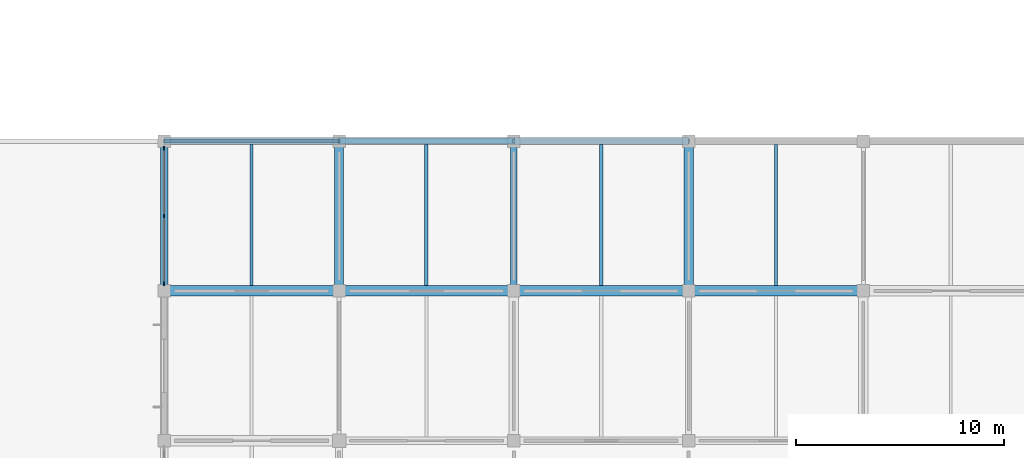
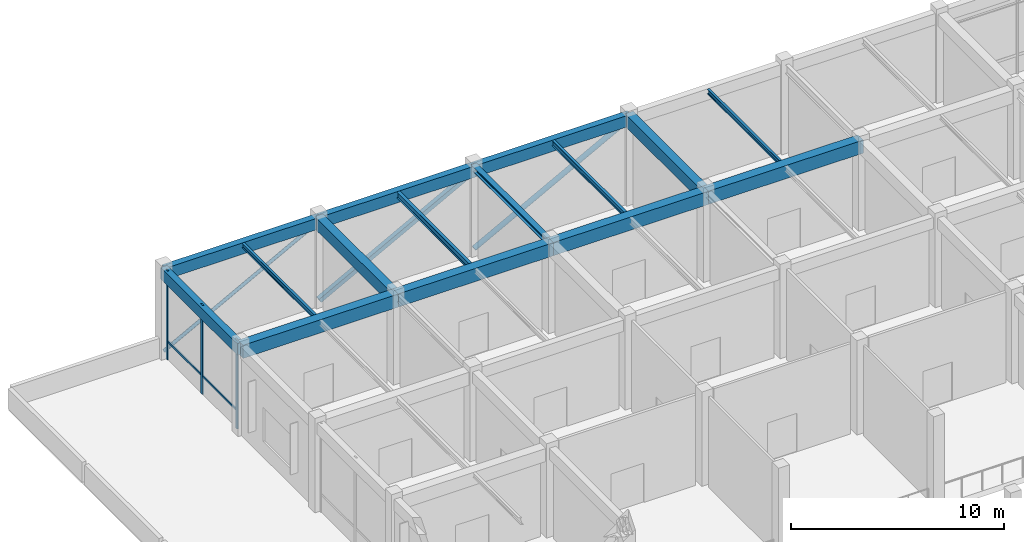
# One storey, part 10 of 38: 15 beams, 8 members, 1 element without a shape of its own.
"""IFC4 building model written with IfcOpenShell, lengths in metres."""

from ifc_helpers import new_model, si_unit, derived_unit, direction, frame, origin, origin_2d, place, context, subcontext, project, spatial, rectangle, hollow_rectangle, hollow_circle, i_section, extrude, material, material_profile, profile_set, type_object, element, aggregate, save


model = new_model("IFC4")

# Units and contexts
model_context = context("Model", 3, precision=1e-05, world=origin(), true_north=direction((0.0, 1.0)))
body_context = subcontext(model_context, "Body", "Model", "MODEL_VIEW")
ifc_project = project(units=[si_unit("LENGTHUNIT", "METRE"), si_unit("AREAUNIT", "SQUARE_METRE"), si_unit("VOLUMEUNIT", "CUBIC_METRE"), si_unit("PLANEANGLEUNIT", "RADIAN"), si_unit("MASSUNIT", "GRAM", prefix="KILO"), derived_unit("THERMALTRANSMITTANCEUNIT", [(si_unit("MASSUNIT", "GRAM", prefix="KILO"), 1), (si_unit("TIMEUNIT", "SECOND"), -3), (si_unit("THERMODYNAMICTEMPERATUREUNIT", "KELVIN"), -1)])], contexts=[model_context])

# Site, building, storey
site_placement = place(None, origin())
site = spatial("IfcSite", under=ifc_project, at=site_placement, CompositionType="ELEMENT")
building_placement = place(site_placement, origin())
building = spatial("IfcBuilding", under=site, at=building_placement, Name="Veldstrom Oceanarium and Marine Research Institute", CompositionType="ELEMENT")
storey_placement = place(building_placement, frame((0.0, 0.0, 11.39990234375)))
storey = spatial("IfcBuildingStorey", under=building, at=storey_placement, Name="L02", CompositionType="ELEMENT", Elevation=11.39990234375)

# Curtain wall, members
ifc_material_1 = material(Name="Anodised Aluminium Framing", Category="aluminium")
curtain_wall_type = type_object("IfcCurtainWallType", Name="ARC-CW-CW06", PredefinedType="USERDEFINED", material=ifc_material_1)
curtain_wall_placement = place(storey_placement, origin())
curtain_wall = element("IfcCurtainWall", 1, at=curtain_wall_placement, inside=storey, type_object=curtain_wall_type, Name="Curtain Wall CW06 CW-L02-022", ObjectType="Curtain wall", PredefinedType="USERDEFINED")
ifc_material_2 = material(Name="Anodised Aluminium Framing", Category="aluminium")
ifc_material_profile_1 = material_profile(ifc_material_2, rectangle(XDim=0.074951171875, YDim=0.179931640625, at=origin_2d()), Name="ALU-MUL-75x180")
ifc_profile_set_1 = profile_set([ifc_material_profile_1], Name="Anodised Aluminium Framing")
member_type_1 = type_object("IfcMemberType", Name="ARC-MUL-ML1", PredefinedType="MULLION", material=ifc_profile_set_1)
member_1_placement = place(storey_placement, frame((8.39990234375, 65.139892578125, 0.0), z_axis=(0.0, 0.0, 1.0), x_axis=(1.0, 0.0, 0.0)))
member_1 = element("IfcMember", 2, at=member_1_placement, type_object=member_type_1, Name="Curtain Wall Mullion CW-L02-022-MUL-1", PredefinedType="MULLION", context=body_context, shape_type="SweptSolid", body=[
    extrude(rectangle(XDim=0.074951171875, YDim=0.179931640625, at=origin_2d()), origin(), (0.0, 0.0, 1.0), 5.10009765625),
])
member_2_placement = place(storey_placement, frame((8.39990234375, 68.39990234375, 0.0), z_axis=(0.0, 0.0, 1.0), x_axis=(1.0, 0.0, 0.0)))
member_2 = element("IfcMember", 3, at=member_2_placement, type_object=member_type_1, Name="Curtain Wall Mullion CW-L02-022-MUL-2", PredefinedType="MULLION", context=body_context, shape_type="SweptSolid", body=[
    extrude(rectangle(XDim=0.074951171875, YDim=0.179931640625, at=origin_2d()), origin(), (0.0, 0.0, 1.0), 5.10009765625),
])
member_3_placement = place(storey_placement, frame((8.39990234375, 71.659912109375, 0.0), z_axis=(0.0, 0.0, 1.0), x_axis=(1.0, 0.0, 0.0)))
member_3 = element("IfcMember", 4, at=member_3_placement, type_object=member_type_1, Name="Curtain Wall Mullion CW-L02-022-MUL-3", PredefinedType="MULLION", context=body_context, shape_type="SweptSolid", body=[
    extrude(rectangle(XDim=0.074951171875, YDim=0.179931640625, at=origin_2d()), origin(), (0.0, 0.0, 1.0), 5.10009765625),
])
ifc_material_3 = material(Name="Anodised Aluminium Framing", Category="aluminium")
ifc_material_profile_2 = material_profile(ifc_material_3, rectangle(XDim=0.06494140625, YDim=0.1201171875, at=origin_2d()), Name="ALU-TRN-65x120")
ifc_profile_set_2 = profile_set([ifc_material_profile_2], Name="Anodised Aluminium Framing")
member_type_2 = type_object("IfcMemberType", Name="ARC-TRN-TR2", PredefinedType="USERDEFINED", material=ifc_profile_set_2)
member_4_placement = place(storey_placement, frame((8.39990234375, 65.179931640625, 1.050048828125), z_axis=(0.0, 1.0, 0.0), x_axis=(-1.0, 0.0, 0.0)))
member_4 = element("IfcMember", 5, at=member_4_placement, type_object=member_type_2, Name="Curtain Wall Transom CW-L02-022-TRN-1", ObjectType="Transom", PredefinedType="USERDEFINED", context=body_context, shape_type="SweptSolid", body=[
    extrude(rectangle(XDim=0.06494140625, YDim=0.1201171875, at=origin_2d()), origin(), (0.0, 0.0, 1.0), 3.18017578125),
])
member_5_placement = place(storey_placement, frame((8.39990234375, 68.43994140625, 1.050048828125), z_axis=(0.0, 1.0, 0.0), x_axis=(-1.0, 0.0, 0.0)))
member_5 = element("IfcMember", 6, at=member_5_placement, type_object=member_type_2, Name="Curtain Wall Transom CW-L02-022-TRN-2", ObjectType="Transom", PredefinedType="USERDEFINED", context=body_context, shape_type="SweptSolid", body=[
    extrude(rectangle(XDim=0.06494140625, YDim=0.1201171875, at=origin_2d()), origin(), (0.0, 0.0, 1.0), 3.18017578125),
])
aggregate(curtain_wall, [member_1, member_2, member_3, member_4, member_5])

# Beams
ifc_material_4 = material(Name="Concrete C40/50", Category="concrete")
ifc_material_profile_3 = material_profile(ifc_material_4, rectangle(XDim=0.5, YDim=0.75, at=origin_2d()), Name="RC-BM-500x750")
ifc_profile_set_3 = profile_set([ifc_material_profile_3], Name="Concrete C40/50")
beam_type_1 = type_object("IfcBeamType", Name="STR-BM-B03", PredefinedType="BEAM", material=ifc_profile_set_3)
beam_1_placement = place(storey_placement, frame((8.39990234375, 64.800048828125, 4.72021484375), z_axis=(1.0, 0.0, 0.0), x_axis=(0.0, 1.0, 0.0)))
element("IfcBeam", 7, at=beam_1_placement, inside=storey, type_object=beam_type_1, Name="Primary Beam B03 L02-1499", PredefinedType="BEAM", context=body_context, shape_type="SweptSolid", body=[
    extrude(rectangle(XDim=0.5, YDim=0.75, at=origin_2d()), origin(), (0.0, 0.0, 1.0), 8.400146484375),
])
beam_2_placement = place(storey_placement, frame((16.800048828125, 64.800048828125, 4.72021484375), z_axis=(1.0, 0.0, 0.0), x_axis=(0.0, 1.0, 0.0)))
element("IfcBeam", 8, at=beam_2_placement, inside=storey, type_object=beam_type_1, Name="Primary Beam B03 L02-1505", PredefinedType="BEAM", context=body_context, shape_type="SweptSolid", body=[
    extrude(rectangle(XDim=0.5, YDim=0.75, at=origin_2d()), origin(), (0.0, 0.0, 1.0), 8.39990234375),
])
beam_3_placement = place(storey_placement, frame((25.199951171875, 64.800048828125, 4.72021484375), z_axis=(1.0, 0.0, 0.0), x_axis=(0.0, 1.0, 0.0)))
element("IfcBeam", 9, at=beam_3_placement, inside=storey, type_object=beam_type_1, Name="Primary Beam B03 L02-1511", PredefinedType="BEAM", context=body_context, shape_type="SweptSolid", body=[
    extrude(rectangle(XDim=0.5, YDim=0.75, at=origin_2d()), origin(), (0.0, 0.0, 1.0), 8.400146484375),
])
beam_4_placement = place(storey_placement, frame((33.60009765625, 64.800048828125, 4.72021484375), z_axis=(1.0, 0.0, 0.0), x_axis=(0.0, 1.0, 0.0)))
element("IfcBeam", 10, at=beam_4_placement, inside=storey, type_object=beam_type_1, Name="Primary Beam B03 L02-1517", PredefinedType="BEAM", context=body_context, shape_type="SweptSolid", body=[
    extrude(rectangle(XDim=0.5, YDim=0.75, at=origin_2d()), origin(), (0.0, 0.0, 1.0), 8.39990234375),
])
ifc_material_5 = material(Name="Concrete C40/50", Category="concrete")
ifc_material_profile_4 = material_profile(ifc_material_5, rectangle(XDim=0.449951171875, YDim=0.699951171875, at=origin_2d()), Name="RC-BM-450x700")
ifc_profile_set_4 = profile_set([ifc_material_profile_4], Name="Concrete C40/50")
beam_type_2 = type_object("IfcBeamType", Name="STR-BM-B04", PredefinedType="BEAM", material=ifc_profile_set_4)
for number, where, z_axis, x_axis, name in (
    (11, (16.800048828125, 64.800048828125, 4.7451171875), (0.0, 1.0, 0.0), (-1.0, 0.0, 0.0), "Primary Beam B04 L02-1636"),
    (12, (33.60009765625, 64.800048828125, 4.7451171875), (0.0, 1.0, 0.0), (-1.0, 0.0, 0.0), "Primary Beam B04 L02-1644"),
):
    element("IfcBeam", number, at=place(storey_placement, frame(where, z_axis=z_axis, x_axis=x_axis)), inside=storey, type_object=beam_type_2, Name=name, PredefinedType="BEAM", context=body_context, shape_type="SweptSolid", body=[
        extrude(rectangle(XDim=0.449951171875, YDim=0.699951171875, at=origin_2d()), origin(), (0.0, 0.0, 1.0), 7.199951171875),
    ])
ifc_material_6 = material(Name="Steel S355JR", Category="steel")
ifc_material_profile_5 = material_profile(ifc_material_6, i_section(OverallWidth=0.300048828125, OverallDepth=0.2900390625, WebThickness=0.008544921875, FlangeThickness=0.013916015625, FilletRadius=0.027099609375, at=origin_2d()), Name="HEA 300")
ifc_profile_set_5 = profile_set([ifc_material_profile_5], Name="Steel S355JR")
beam_type_3 = type_object("IfcBeamType", Name="STR-BM-SB10", PredefinedType="BEAM", material=ifc_profile_set_5)
beam_5_placement = place(storey_placement, frame((25.199951171875, 64.800048828125, 4.9501953125), z_axis=(0.0, 1.0, 0.0), x_axis=(-1.0, 0.0, 0.0)))
element("IfcBeam", 13, at=beam_5_placement, inside=storey, type_object=beam_type_3, Name="Steel Tie Beam SB10 L02-1640", PredefinedType="BEAM", context=body_context, shape_type="SweptSolid", body=[
    extrude(i_section(OverallWidth=0.300048828125, OverallDepth=0.2900390625, WebThickness=0.008544921875, FlangeThickness=0.013916015625, FilletRadius=0.027099609375, at=origin_2d()), origin(), (0.0, 0.0, 1.0), 7.199951171875),
])
ifc_material_7 = material(Name="Steel S355JR", Category="steel")
ifc_material_profile_6 = material_profile(ifc_material_7, i_section(OverallWidth=0.169921875, OverallDepth=0.360107421875, WebThickness=0.008056640625, FlangeThickness=0.0126953125, FilletRadius=0.01806640625, at=origin_2d()), Name="IPE 360")
ifc_profile_set_6 = profile_set([ifc_material_profile_6], Name="Steel S355JR")
beam_type_4 = type_object("IfcBeamType", Name="STR-JST-SJ1", PredefinedType="JOIST", material=ifc_profile_set_6)
beam_6_placement = place(storey_placement, frame((21.0, 65.050048828125, 4.9150390625), z_axis=(0.0, 1.0, 0.0), x_axis=(-1.0, 0.0, 0.0)))
element("IfcBeam", 14, at=beam_6_placement, inside=storey, type_object=beam_type_4, Name="Secondary Joist SJ1 L02-1753", PredefinedType="JOIST", context=body_context, shape_type="SweptSolid", body=[
    extrude(i_section(OverallWidth=0.169921875, OverallDepth=0.360107421875, WebThickness=0.008056640625, FlangeThickness=0.0126953125, FilletRadius=0.01806640625, at=origin_2d()), origin(), (0.0, 0.0, 1.0), 6.77490234375),
])
ifc_material_8 = material(Name="Steel S355JR", Category="steel")
ifc_material_profile_7 = material_profile(ifc_material_8, i_section(OverallWidth=0.14990234375, OverallDepth=0.300048828125, WebThickness=0.007080078125, FlangeThickness=0.0107421875, FilletRadius=0.014892578125, at=origin_2d()), Name="IPE 300")
ifc_profile_set_7 = profile_set([ifc_material_profile_7], Name="Steel S355JR")
beam_type_5 = type_object("IfcBeamType", Name="STR-JST-SJ2", PredefinedType="JOIST", material=ifc_profile_set_7)
beam_7_placement = place(storey_placement, frame((29.39990234375, 65.050048828125, 4.945068359375), z_axis=(0.0, 1.0, 0.0), x_axis=(-1.0, 0.0, 0.0)))
element("IfcBeam", 15, at=beam_7_placement, inside=storey, type_object=beam_type_5, Name="Secondary Joist SJ2 L02-1757", PredefinedType="JOIST", context=body_context, shape_type="SweptSolid", body=[
    extrude(i_section(OverallWidth=0.14990234375, OverallDepth=0.300048828125, WebThickness=0.007080078125, FlangeThickness=0.0107421875, FilletRadius=0.014892578125, at=origin_2d()), origin(), (0.0, 0.0, 1.0), 6.77490234375),
])
ifc_material_9 = material(Name="Steel S355JR", Category="steel")
ifc_material_profile_8 = material_profile(ifc_material_9, i_section(OverallWidth=0.135009765625, OverallDepth=0.27001953125, WebThickness=0.006591796875, FlangeThickness=0.01025390625, FilletRadius=0.014892578125, at=origin_2d()), Name="IPE 270")
ifc_profile_set_8 = profile_set([ifc_material_profile_8], Name="Steel S355JR")
beam_type_6 = type_object("IfcBeamType", Name="STR-JST-SJ3", PredefinedType="JOIST", material=ifc_profile_set_8)
for number, where, z_axis, x_axis, name in (
    (16, (12.60009765625, 65.050048828125, 4.960205078125), (0.0, 1.0, 0.0), (-1.0, 0.0, 0.0), "Secondary Joist SJ3 L02-1749"),
    (17, (37.800048828125, 65.050048828125, 4.960205078125), (0.0, 1.0, 0.0), (-1.0, 0.0, 0.0), "Secondary Joist SJ3 L02-1761"),
):
    element("IfcBeam", number, at=place(storey_placement, frame(where, z_axis=z_axis, x_axis=x_axis)), inside=storey, type_object=beam_type_6, Name=name, PredefinedType="JOIST", context=body_context, shape_type="SweptSolid", body=[
        extrude(i_section(OverallWidth=0.135009765625, OverallDepth=0.27001953125, WebThickness=0.006591796875, FlangeThickness=0.01025390625, FilletRadius=0.014892578125, at=origin_2d()), origin(), (0.0, 0.0, 1.0), 6.77490234375),
    ])

# Members
ifc_material_10 = material(Name="Steel S355JR", Category="steel")
ifc_material_profile_9 = material_profile(ifc_material_10, hollow_circle(Radius=0.096923828125, WallThickness=0.010009765625, at=origin_2d()), Name="CHS 193.7x10")
ifc_profile_set_9 = profile_set([ifc_material_profile_9], Name="Steel S355JR")
member_type_3 = type_object("IfcMemberType", Name="STR-MEM-BR2", PredefinedType="BRACE", material=ifc_profile_set_9)
member_6_placement = place(storey_placement, frame((8.39990234375, 72.0, 0.25), z_axis=(0.881483397762, 0.0, 0.472215014025), x_axis=(0.0, 1.0, 0.0)))
element("IfcMember", 18, at=member_6_placement, inside=storey, type_object=member_type_3, Name="Party-Wall Lateral Brace LB-L02-0619", PredefinedType="BRACE", context=body_context, shape_type="SweptSolid", body=[
    extrude(hollow_circle(Radius=0.096923828125, WallThickness=0.010009765625, at=origin_2d()), origin(), (0.0, 0.0, 1.0), 9.529541015625),
])
ifc_material_11 = material(Name="Steel S355JR", Category="steel")
ifc_material_profile_10 = material_profile(ifc_material_11, hollow_rectangle(XDim=0.25, YDim=0.25, WallThickness=0.012451171875, at=origin_2d()), Name="SHS 250x250x12.5")
ifc_profile_set_10 = profile_set([ifc_material_profile_10], Name="Steel S355JR")
member_type_4 = type_object("IfcMemberType", Name="STR-MEM-CH1", PredefinedType="CHORD", material=ifc_profile_set_10)
member_7_placement = place(storey_placement, frame((16.800048828125, 72.0, 0.25), z_axis=(0.881477684796, 0.0, 0.472225678258), x_axis=(0.0, 1.0, 0.0)))
element("IfcMember", 19, at=member_7_placement, inside=storey, type_object=member_type_4, Name="Party-Wall Lateral Brace LB-L02-0620", PredefinedType="CHORD", context=body_context, shape_type="SweptSolid", body=[
    extrude(hollow_rectangle(XDim=0.25, YDim=0.25, WallThickness=0.012451171875, at=origin_2d()), origin(), (0.0, 0.0, 1.0), 9.529296875),
])
ifc_material_12 = material(Name="Steel S355JR", Category="steel")
ifc_material_profile_11 = material_profile(ifc_material_12, hollow_circle(Radius=0.136474609375, WallThickness=0.012451171875, at=origin_2d()), Name="CHS 273x12.5")
ifc_profile_set_11 = profile_set([ifc_material_profile_11], Name="Steel S355JR")
member_type_5 = type_object("IfcMemberType", Name="STR-MEM-CH3", PredefinedType="CHORD", material=ifc_profile_set_11)
member_8_placement = place(storey_placement, frame((25.199951171875, 72.0, 0.25), z_axis=(0.881483397762, 0.0, 0.472215014025), x_axis=(0.0, 1.0, 0.0)))
element("IfcMember", 20, at=member_8_placement, inside=storey, type_object=member_type_5, Name="Party-Wall Lateral Brace LB-L02-0621", PredefinedType="CHORD", context=body_context, shape_type="SweptSolid", body=[
    extrude(hollow_circle(Radius=0.136474609375, WallThickness=0.012451171875, at=origin_2d()), origin(), (0.0, 0.0, 1.0), 9.529541015625),
])

# Beams
ifc_material_13 = material(Name="Concrete C40/50", Category="concrete")
ifc_material_profile_12 = material_profile(ifc_material_13, rectangle(XDim=0.35009765625, YDim=0.64990234375, at=origin_2d()), Name="RC-SPN-350x650")
ifc_profile_set_12 = profile_set([ifc_material_profile_12], Name="Concrete C40/50")
beam_type_7 = type_object("IfcBeamType", Name="STR-SPN-SP1", PredefinedType="SPANDREL", material=ifc_profile_set_12)
beam_8_placement = place(storey_placement, frame((8.39990234375, 72.0, 4.77001953125), z_axis=(1.0, 0.0, 0.0), x_axis=(0.0, 1.0, 0.0)))
element("IfcBeam", 21, at=beam_8_placement, inside=storey, type_object=beam_type_7, Name="Perimeter Spandrel SPB1 L02-1500", PredefinedType="SPANDREL", context=body_context, shape_type="SweptSolid", body=[
    extrude(rectangle(XDim=0.35009765625, YDim=0.64990234375, at=origin_2d()), origin(), (0.0, 0.0, 1.0), 8.400146484375),
])
beam_9_placement = place(storey_placement, frame((16.800048828125, 72.0, 4.77001953125), z_axis=(1.0, 0.0, 0.0), x_axis=(0.0, 1.0, 0.0)))
element("IfcBeam", 22, at=beam_9_placement, inside=storey, type_object=beam_type_7, Name="Perimeter Spandrel SPB1 L02-1506", PredefinedType="SPANDREL", context=body_context, shape_type="SweptSolid", body=[
    extrude(rectangle(XDim=0.35009765625, YDim=0.64990234375, at=origin_2d()), origin(), (0.0, 0.0, 1.0), 8.39990234375),
])
beam_10_placement = place(storey_placement, frame((25.199951171875, 72.0, 4.77001953125), z_axis=(1.0, 0.0, 0.0), x_axis=(0.0, 1.0, 0.0)))
element("IfcBeam", 23, at=beam_10_placement, inside=storey, type_object=beam_type_7, Name="Perimeter Spandrel SPB1 L02-1512", PredefinedType="SPANDREL", context=body_context, shape_type="SweptSolid", body=[
    extrude(rectangle(XDim=0.35009765625, YDim=0.64990234375, at=origin_2d()), origin(), (0.0, 0.0, 1.0), 8.400146484375),
])
beam_11_placement = place(storey_placement, frame((8.39990234375, 64.800048828125, 4.77001953125), z_axis=(0.0, 1.0, 0.0), x_axis=(-1.0, 0.0, 0.0)))
element("IfcBeam", 24, at=beam_11_placement, inside=storey, type_object=beam_type_7, Name="Perimeter Spandrel SPB1 L02-1626", PredefinedType="SPANDREL", context=body_context, shape_type="SweptSolid", body=[
    extrude(rectangle(XDim=0.35009765625, YDim=0.64990234375, at=origin_2d()), origin(), (0.0, 0.0, 1.0), 7.199951171875),
])

save(model, "model.ifc")
